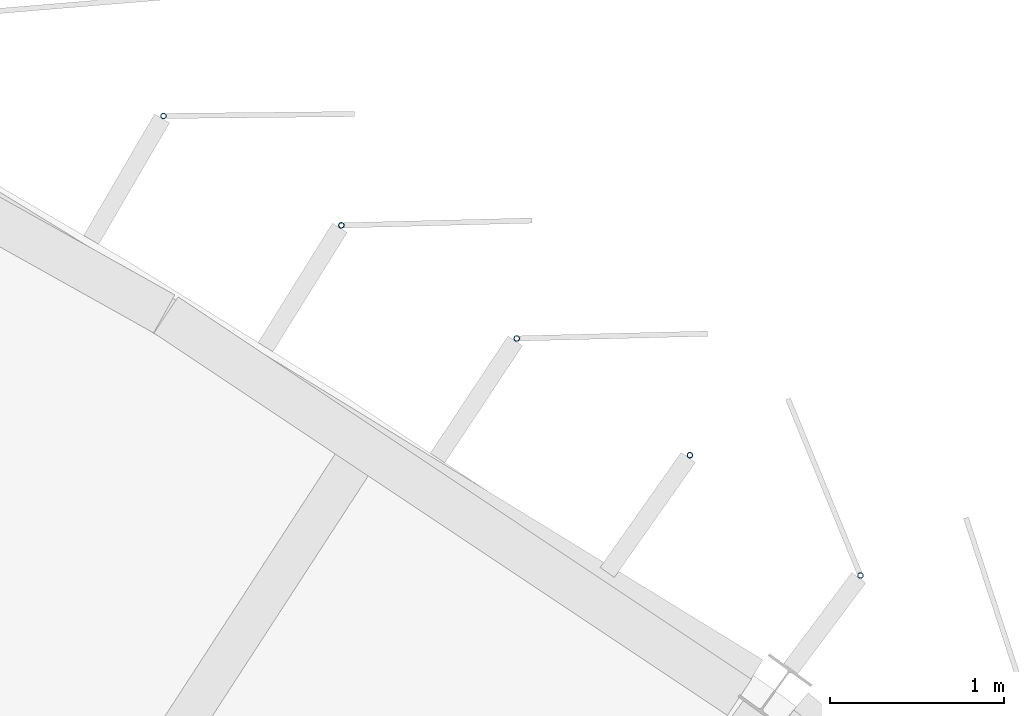
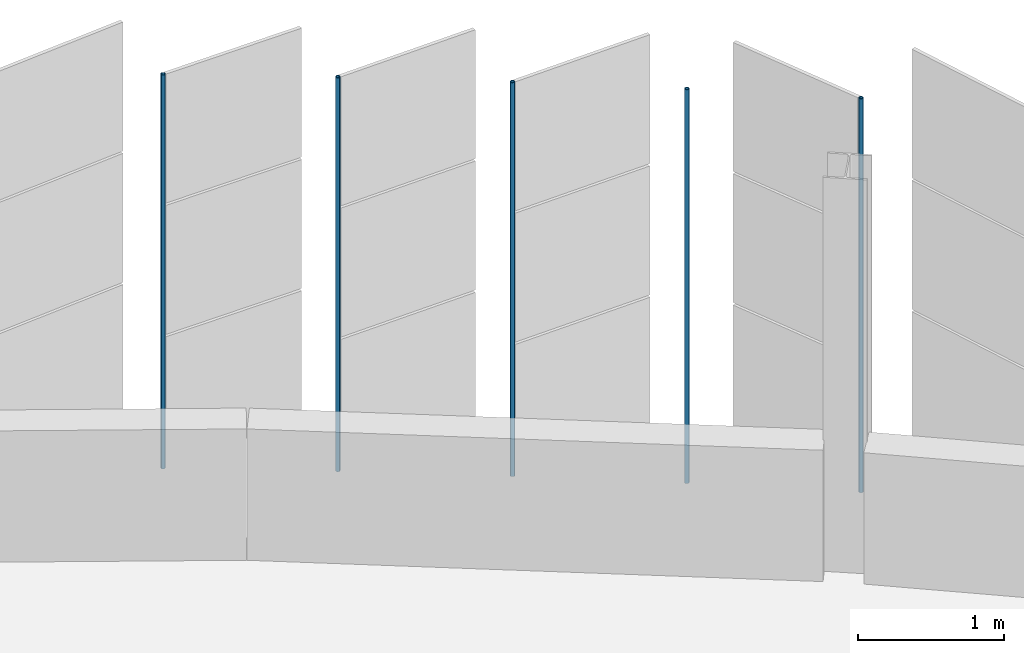
# One storey, part 163 of 199: 5 discrete accessories.
"""IFC4 building model written with IfcOpenShell, lengths in metres."""

from ifc_helpers import new_model, si_unit, direction, frame, origin, origin_2d, place, context, subcontext, project, spatial, hollow_circle, extrude, material, material_profile, profile_set, type_object, element, save


model = new_model("IFC4")

# Units and contexts
model_context = context("Model", 3, precision=1e-05, world=origin(), true_north=direction((0.0, 1.0)))
body_context = subcontext(model_context, "Body", "Model", "MODEL_VIEW")
ifc_project = project(units=[si_unit("LENGTHUNIT", "METRE"), si_unit("AREAUNIT", "SQUARE_METRE"), si_unit("VOLUMEUNIT", "CUBIC_METRE"), si_unit("PLANEANGLEUNIT", "RADIAN"), si_unit("MASSUNIT", "GRAM", prefix="KILO")], contexts=[model_context])

# Site, building, storey
site_placement = place(None, origin())
site = spatial("IfcSite", under=ifc_project, at=site_placement, CompositionType="ELEMENT")
building_placement = place(site_placement, origin())
building = spatial("IfcBuilding", under=site, at=building_placement, Name="Parallax Yard Mobility Hub", CompositionType="ELEMENT")
storey_placement = place(building_placement, frame((0.0, 0.0, 9.89990234375)))
storey = spatial("IfcBuildingStorey", under=building, at=storey_placement, Name="L03", CompositionType="ELEMENT", Elevation=9.89990234375)

# Discrete accessories
ifc_material = material(Name="Steel ASTM A500 Gr C, hot-dip galvanised", Category="steel")
ifc_material_profile = material_profile(ifc_material, hollow_circle(Radius=0.016845703125, WallThickness=0.003173828125, at=origin_2d()), Name="CHS 33.7x3.2")
ifc_profile_set = profile_set([ifc_material_profile], Name="Steel ASTM A500 Gr C, hot-dip galvanised")
discrete_accessory_type = type_object("IfcDiscreteAccessoryType", Name="Hinge post CHS 33.7x3.2", PredefinedType="BRACKET", material=ifc_profile_set)
for number, where, z_axis, x_axis, name in (
    (1, (203.84912109375, 133.135498046875, 0.0), (0.0, 0.0, 1.0), (1.0, 0.0, 0.0), "Hinge post bay 47.1 level L03"),
    (2, (202.86865234375, 133.826904296875, 0.0), (0.0, 0.0, 1.0), (1.0, 0.0, 0.0), "Hinge post bay 47.2 level L03"),
    (3, (201.873779296875, 134.497802734375, 0.0), (0.0, 0.0, 1.0), (1.0, 0.0, 0.0), "Hinge post bay 47.3 level L03"),
    (4, (200.865478515625, 135.147705078125, 0.0), (0.0, 0.0, 1.0), (1.0, 0.0, 0.0), "Hinge post bay 47.4 level L03"),
    (5, (199.843505859375, 135.7763671875, 0.0), (0.0, 0.0, 1.0), (1.0, 0.0, 0.0), "Hinge post bay 47.5 level L03"),
):
    element("IfcDiscreteAccessory", number, at=place(storey_placement, frame(where, z_axis=z_axis, x_axis=x_axis)), inside=storey, type_object=discrete_accessory_type, Name=name, PredefinedType="BRACKET", context=body_context, shape_type="SweptSolid", body=[
        extrude(hollow_circle(Radius=0.016845703125, WallThickness=0.003173828125, at=origin_2d()), origin(), (0.0, 0.0, 1.0), 3.300048828125),
    ])

save(model, "model.ifc")
